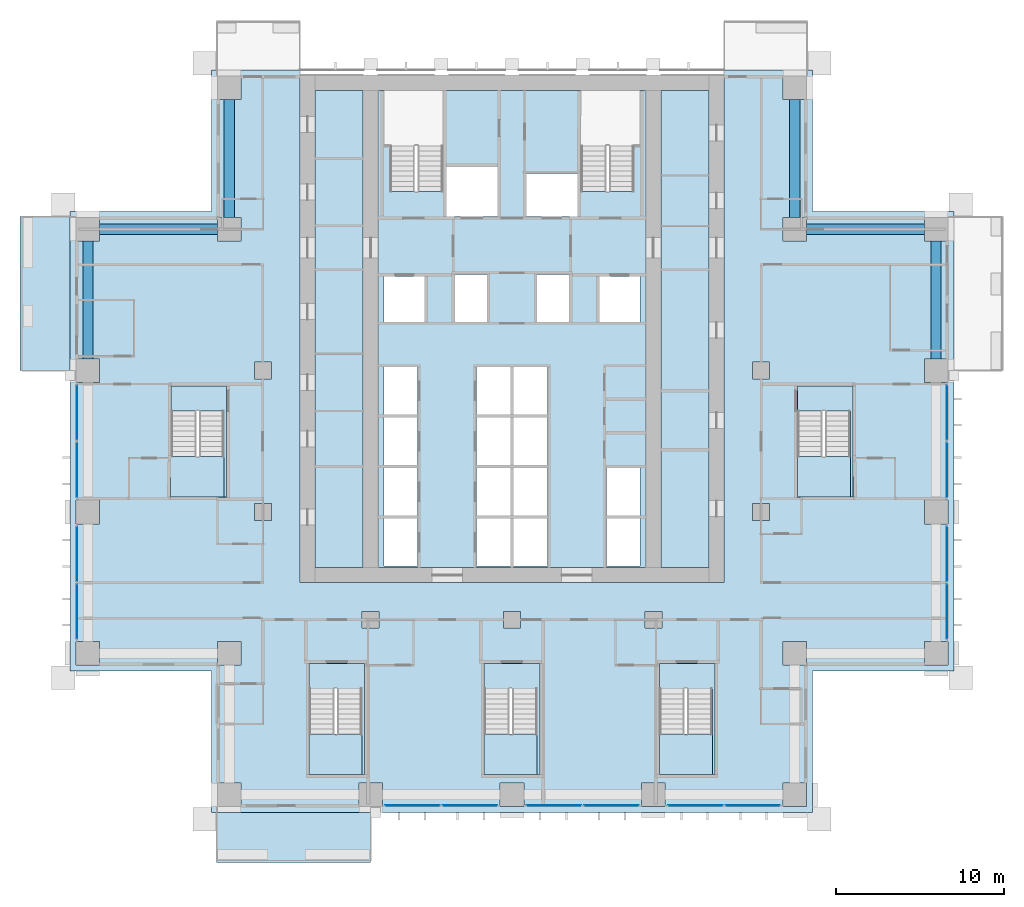
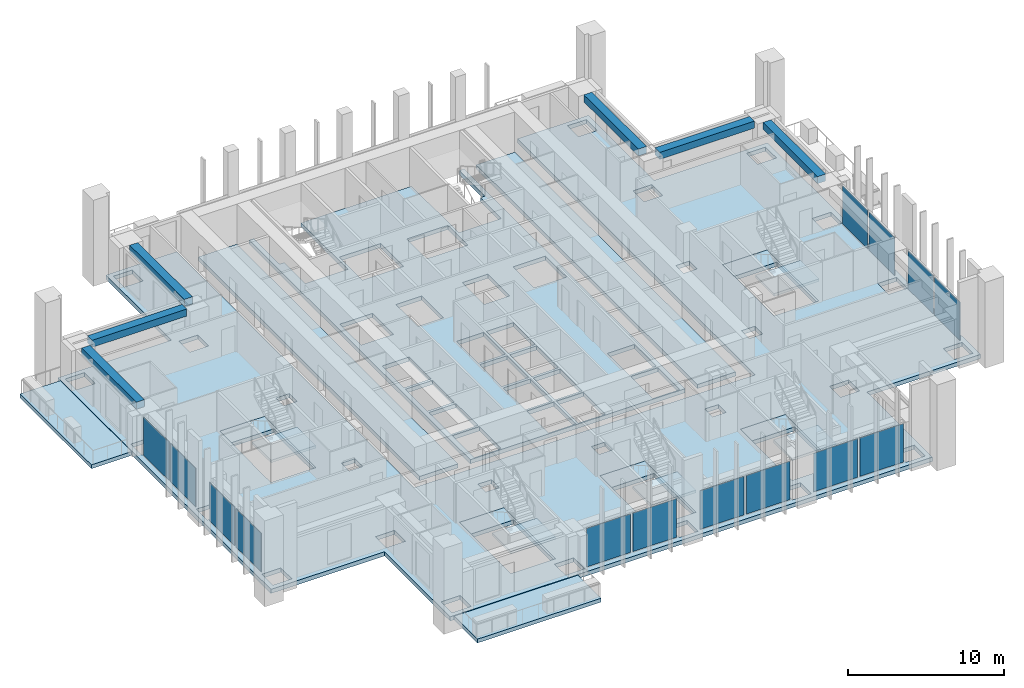
# One storey, part 5 of 17: 16 slabs, 14 plates, 6 beams, 12 elements without a shape of their own.
"""IFC4 building model written with IfcOpenShell, lengths in metres."""

from ifc_helpers import new_model, si_unit, direction, frame, origin, origin_2d, place, context, subcontext, project, spatial, polyline, rectangle, outline, extrude, material, layer, layer_set, material_profile, profile_set, type_object, element, aggregate, save


model = new_model("IFC4")

# Units and contexts
model_context = context("Model", 3, precision=1e-05, world=origin(), true_north=direction((0.0, 1.0)))
body_context = subcontext(model_context, "Body", "Model", "MODEL_VIEW")
ifc_project = project(units=[si_unit("LENGTHUNIT", "METRE"), si_unit("AREAUNIT", "SQUARE_METRE"), si_unit("VOLUMEUNIT", "CUBIC_METRE"), si_unit("PLANEANGLEUNIT", "RADIAN"), si_unit("MASSUNIT", "GRAM", prefix="KILO")], contexts=[model_context])

# Site, building, storey
site_placement = place(None, origin())
site = spatial("IfcSite", under=ifc_project, at=site_placement, CompositionType="ELEMENT")
building_placement = place(site_placement, origin())
building = spatial("IfcBuilding", under=site, at=building_placement, Name="Vermilion Ogive Tower", CompositionType="ELEMENT")
storey_placement = place(building_placement, frame((0.0, 0.0, 69.0)))
storey = spatial("IfcBuildingStorey", under=building, at=storey_placement, Name="L16", CompositionType="ELEMENT", Elevation=69.0)

# Beams
ifc_material_1 = material(Name="Concrete B45", Category="concrete")
ifc_material_profile = material_profile(ifc_material_1, rectangle(XDim=0.60009765625, YDim=0.550048828125, at=origin_2d()), Name="600 x 550")
ifc_profile_set = profile_set([ifc_material_profile], Name="Concrete B45")
beam_type = type_object("IfcBeamType", Name="Edge beam 600 x 550 B45", PredefinedType="BEAM", material=ifc_profile_set)
for number, where, z_axis, x_axis, name in (
    (1, (25.199951171875, 4.89990234375, 2.85498046875), (0.0, 1.0, 0.0), (-1.0, 0.0, 0.0), "L16-EB-9"),
    (2, (24.5, 12.60009765625, 2.85498046875), (-1.0, 0.0, 0.0), (0.0, -1.0, 0.0), "L16-EB-10"),
    (3, (16.800048828125, 13.300048828125, 2.85498046875), (0.0, 1.0, 0.0), (-1.0, 0.0, 0.0), "L16-EB-11"),
    (4, (-16.800048828125, 20.300048828125, 2.85498046875), (0.0, -1.0, 0.0), (1.0, 0.0, 0.0), "L16-EB-12"),
    (5, (-17.5, 12.60009765625, 2.85498046875), (-1.0, 0.0, 0.0), (0.0, -1.0, 0.0), "L16-EB-13"),
    (6, (-25.199951171875, 11.89990234375, 2.85498046875), (0.0, -1.0, 0.0), (1.0, 0.0, 0.0), "L16-EB-14"),
):
    element("IfcBeam", number, at=place(storey_placement, frame(where, z_axis=z_axis, x_axis=x_axis)), inside=storey, type_object=beam_type, Name=name, PredefinedType="BEAM", context=body_context, shape_type="SweptSolid", body=[
        extrude(rectangle(XDim=0.60009765625, YDim=0.550048828125, at=origin_2d()), origin(), (0.0, 0.0, 1.0), 7.0),
    ])

# Slabs
ifc_material_2 = material(Name="Concrete B40", Category="concrete")
ifc_layer_1 = layer(ifc_material_2, 0.300048828125)
ifc_layer_set_1 = layer_set([ifc_layer_1], Name="Balcony slab")
slab_type_1 = type_object("IfcSlabType", Name="Balcony slab", PredefinedType="FLOOR", material=ifc_layer_set_1)
slab_1_placement = place(storey_placement, frame((0.0, 0.0, -0.340087890625)))
element("IfcSlab", 7, at=slab_1_placement, inside=storey, type_object=slab_type_1, Name="Balcony slab S01", PredefinedType="FLOOR", context=body_context, shape_type="SweptSolid", body=[
    extrude(outline(polyline([(-17.550048828125, -25.030029296875), (-8.39990234375, -25.030029296875), (-8.39990234375, -22.050048828125), (-17.550048828125, -22.050048828125), (-17.550048828125, -25.030029296875)])), origin(), (0.0, 0.0, 1.0), 0.300048828125),
])
slab_2_placement = place(storey_placement, frame((0.0, 0.0, -0.340087890625)))
element("IfcSlab", 8, at=slab_2_placement, inside=storey, type_object=slab_type_1, Name="Balcony slab W01", PredefinedType="FLOOR", context=body_context, shape_type="SweptSolid", body=[
    extrude(outline(polyline([(-29.22998046875, 13.35009765625), (-29.22998046875, 4.199951171875), (-26.25, 4.199951171875), (-26.25, 13.35009765625), (-29.22998046875, 13.35009765625)])), origin(), (0.0, 0.0, 1.0), 0.300048828125),
])

# Curtain wall, plates
ifc_material_3 = material(Name="Low-iron laminated glazing in aluminium frame", Category="aluminium")
curtain_wall_type = type_object("IfcCurtainWallType", Name="Curtain wall CW7", PredefinedType="NOTDEFINED", material=ifc_material_3)
curtain_wall_1_placement = place(storey_placement, origin())
curtain_wall_1 = element("IfcCurtainWall", 9, at=curtain_wall_1_placement, inside=storey, type_object=curtain_wall_type, Name="Glazed skin S2", PredefinedType="NOTDEFINED")
ifc_material_4 = material(Name="Low-iron laminated glazing in aluminium frame", Category="aluminium")
ifc_layer_2 = layer(ifc_material_4, 0.031982421875)
ifc_layer_set_2 = layer_set([ifc_layer_2], Name="CW7 glazing panel 32")
plate_type = type_object("IfcPlateType", Name="CW7 glazing panel 32", PredefinedType="CURTAIN_PANEL", material=ifc_layer_set_2)
plate_1_placement = place(storey_placement, frame((-5.905029296875, -21.64990234375, 0.06005859375), z_axis=(0.0, 0.0, 1.0), x_axis=(1.0, 0.0, 0.0)))
plate_1 = element("IfcPlate", 10, at=plate_1_placement, type_object=plate_type, Name="CW7-S2 panel 1.1", PredefinedType="CURTAIN_PANEL", context=body_context, shape_type="SweptSolid", body=[
    extrude(rectangle(XDim=3.22998046875, YDim=0.031982421875, at=origin_2d()), origin(), (0.0, 0.0, 1.0), 3.010009765625),
])
plate_2_placement = place(storey_placement, frame((-2.4951171875, -21.64990234375, 0.06005859375), z_axis=(0.0, 0.0, 1.0), x_axis=(1.0, 0.0, 0.0)))
plate_2 = element("IfcPlate", 11, at=plate_2_placement, type_object=plate_type, Name="CW7-S2 panel 2.1", PredefinedType="CURTAIN_PANEL", context=body_context, shape_type="SweptSolid", body=[
    extrude(rectangle(XDim=3.22998046875, YDim=0.031982421875, at=origin_2d()), origin(), (0.0, 0.0, 1.0), 3.010009765625),
])
aggregate(curtain_wall_1, [plate_1, plate_2])

curtain_wall_2_placement = place(storey_placement, origin())
curtain_wall_2 = element("IfcCurtainWall", 12, at=curtain_wall_2_placement, inside=storey, type_object=curtain_wall_type, Name="Glazed skin S3", PredefinedType="NOTDEFINED")
plate_3_placement = place(storey_placement, frame((2.4951171875, -21.64990234375, 0.06005859375), z_axis=(0.0, 0.0, 1.0), x_axis=(1.0, 0.0, 0.0)))
plate_3 = element("IfcPlate", 13, at=plate_3_placement, type_object=plate_type, Name="CW7-S3 panel 1.1", PredefinedType="CURTAIN_PANEL", context=body_context, shape_type="SweptSolid", body=[
    extrude(rectangle(XDim=3.22998046875, YDim=0.031982421875, at=origin_2d()), origin(), (0.0, 0.0, 1.0), 3.010009765625),
])
plate_4_placement = place(storey_placement, frame((5.905029296875, -21.64990234375, 0.06005859375), z_axis=(0.0, 0.0, 1.0), x_axis=(1.0, 0.0, 0.0)))
plate_4 = element("IfcPlate", 14, at=plate_4_placement, type_object=plate_type, Name="CW7-S3 panel 2.1", PredefinedType="CURTAIN_PANEL", context=body_context, shape_type="SweptSolid", body=[
    extrude(rectangle(XDim=3.22998046875, YDim=0.031982421875, at=origin_2d()), origin(), (0.0, 0.0, 1.0), 3.010009765625),
])
aggregate(curtain_wall_2, [plate_3, plate_4])

curtain_wall_3_placement = place(storey_placement, origin())
curtain_wall_3 = element("IfcCurtainWall", 15, at=curtain_wall_3_placement, inside=storey, type_object=curtain_wall_type, Name="Glazed skin S4", PredefinedType="NOTDEFINED")
plate_5_placement = place(storey_placement, frame((10.89501953125, -21.64990234375, 0.06005859375), z_axis=(0.0, 0.0, 1.0), x_axis=(1.0, 0.0, 0.0)))
plate_5 = element("IfcPlate", 16, at=plate_5_placement, type_object=plate_type, Name="CW7-S4 panel 1.1", PredefinedType="CURTAIN_PANEL", context=body_context, shape_type="SweptSolid", body=[
    extrude(rectangle(XDim=3.22998046875, YDim=0.031982421875, at=origin_2d()), origin(), (0.0, 0.0, 1.0), 3.010009765625),
])
plate_6_placement = place(storey_placement, frame((14.304931640625, -21.64990234375, 0.06005859375), z_axis=(0.0, 0.0, 1.0), x_axis=(1.0, 0.0, 0.0)))
plate_6 = element("IfcPlate", 17, at=plate_6_placement, type_object=plate_type, Name="CW7-S4 panel 2.1", PredefinedType="CURTAIN_PANEL", context=body_context, shape_type="SweptSolid", body=[
    extrude(rectangle(XDim=3.22998046875, YDim=0.031982421875, at=origin_2d()), origin(), (0.0, 0.0, 1.0), 3.010009765625),
])
aggregate(curtain_wall_3, [plate_5, plate_6])

curtain_wall_4_placement = place(storey_placement, origin())
curtain_wall_4 = element("IfcCurtainWall", 18, at=curtain_wall_4_placement, inside=storey, type_object=curtain_wall_type, Name="Glazed skin E1", PredefinedType="NOTDEFINED")
plate_7_placement = place(storey_placement, frame((25.85009765625, -10.10498046875, 0.06005859375), z_axis=(0.0, 0.0, 1.0), x_axis=(0.0, 1.0, 0.0)))
plate_7 = element("IfcPlate", 19, at=plate_7_placement, type_object=plate_type, Name="CW7-E1 panel 1.1", PredefinedType="CURTAIN_PANEL", context=body_context, shape_type="SweptSolid", body=[
    extrude(rectangle(XDim=3.22998046875, YDim=0.031982421875, at=origin_2d()), origin(), (0.0, 0.0, 1.0), 3.010009765625),
])
plate_8_placement = place(storey_placement, frame((25.85009765625, -6.695068359375, 0.06005859375), z_axis=(0.0, 0.0, 1.0), x_axis=(0.0, 1.0, 0.0)))
plate_8 = element("IfcPlate", 20, at=plate_8_placement, type_object=plate_type, Name="CW7-E1 panel 2.1", PredefinedType="CURTAIN_PANEL", context=body_context, shape_type="SweptSolid", body=[
    extrude(rectangle(XDim=3.22998046875, YDim=0.031982421875, at=origin_2d()), origin(), (0.0, 0.0, 1.0), 3.010009765625),
])
aggregate(curtain_wall_4, [plate_7, plate_8])

curtain_wall_5_placement = place(storey_placement, origin())
curtain_wall_5 = element("IfcCurtainWall", 21, at=curtain_wall_5_placement, inside=storey, type_object=curtain_wall_type, Name="Glazed skin E2", PredefinedType="NOTDEFINED")
plate_9_placement = place(storey_placement, frame((25.85009765625, -1.705078125, 0.06005859375), z_axis=(0.0, 0.0, 1.0), x_axis=(0.0, 1.0, 0.0)))
plate_9 = element("IfcPlate", 22, at=plate_9_placement, type_object=plate_type, Name="CW7-E2 panel 1.1", PredefinedType="CURTAIN_PANEL", context=body_context, shape_type="SweptSolid", body=[
    extrude(rectangle(XDim=3.22998046875, YDim=0.031982421875, at=origin_2d()), origin(), (0.0, 0.0, 1.0), 3.010009765625),
])
plate_10_placement = place(storey_placement, frame((25.85009765625, 1.705078125, 0.06005859375), z_axis=(0.0, 0.0, 1.0), x_axis=(0.0, 1.0, 0.0)))
plate_10 = element("IfcPlate", 23, at=plate_10_placement, type_object=plate_type, Name="CW7-E2 panel 2.1", PredefinedType="CURTAIN_PANEL", context=body_context, shape_type="SweptSolid", body=[
    extrude(rectangle(XDim=3.22998046875, YDim=0.031982421875, at=origin_2d()), origin(), (0.0, 0.0, 1.0), 3.010009765625),
])
aggregate(curtain_wall_5, [plate_9, plate_10])

curtain_wall_6_placement = place(storey_placement, origin())
curtain_wall_6 = element("IfcCurtainWall", 24, at=curtain_wall_6_placement, inside=storey, type_object=curtain_wall_type, Name="Glazed skin W2", PredefinedType="NOTDEFINED")
plate_11_placement = place(storey_placement, frame((-25.85009765625, 1.705078125, 0.06005859375), z_axis=(0.0, 0.0, 1.0), x_axis=(0.0, -1.0, 0.0)))
plate_11 = element("IfcPlate", 25, at=plate_11_placement, type_object=plate_type, Name="CW7-W2 panel 1.1", PredefinedType="CURTAIN_PANEL", context=body_context, shape_type="SweptSolid", body=[
    extrude(rectangle(XDim=3.22998046875, YDim=0.031982421875, at=origin_2d()), origin(), (0.0, 0.0, 1.0), 3.010009765625),
])
plate_12_placement = place(storey_placement, frame((-25.85009765625, -1.705078125, 0.06005859375), z_axis=(0.0, 0.0, 1.0), x_axis=(0.0, -1.0, 0.0)))
plate_12 = element("IfcPlate", 26, at=plate_12_placement, type_object=plate_type, Name="CW7-W2 panel 2.1", PredefinedType="CURTAIN_PANEL", context=body_context, shape_type="SweptSolid", body=[
    extrude(rectangle(XDim=3.22998046875, YDim=0.031982421875, at=origin_2d()), origin(), (0.0, 0.0, 1.0), 3.010009765625),
])
aggregate(curtain_wall_6, [plate_11, plate_12])

curtain_wall_7_placement = place(storey_placement, origin())
curtain_wall_7 = element("IfcCurtainWall", 27, at=curtain_wall_7_placement, inside=storey, type_object=curtain_wall_type, Name="Glazed skin W3", PredefinedType="NOTDEFINED")
plate_13_placement = place(storey_placement, frame((-25.85009765625, -6.695068359375, 0.06005859375), z_axis=(0.0, 0.0, 1.0), x_axis=(0.0, -1.0, 0.0)))
plate_13 = element("IfcPlate", 28, at=plate_13_placement, type_object=plate_type, Name="CW7-W3 panel 1.1", PredefinedType="CURTAIN_PANEL", context=body_context, shape_type="SweptSolid", body=[
    extrude(rectangle(XDim=3.22998046875, YDim=0.031982421875, at=origin_2d()), origin(), (0.0, 0.0, 1.0), 3.010009765625),
])
plate_14_placement = place(storey_placement, frame((-25.85009765625, -10.10498046875, 0.06005859375), z_axis=(0.0, 0.0, 1.0), x_axis=(0.0, -1.0, 0.0)))
plate_14 = element("IfcPlate", 29, at=plate_14_placement, type_object=plate_type, Name="CW7-W3 panel 2.1", PredefinedType="CURTAIN_PANEL", context=body_context, shape_type="SweptSolid", body=[
    extrude(rectangle(XDim=3.22998046875, YDim=0.031982421875, at=origin_2d()), origin(), (0.0, 0.0, 1.0), 3.010009765625),
])
aggregate(curtain_wall_7, [plate_13, plate_14])

# Slabs
ifc_material_5 = material(Name="Concrete B40", Category="concrete")
ifc_layer_3 = layer(ifc_material_5, 0.320068359375)
ifc_layer_set_3 = layer_set([ifc_layer_3], Name="Core floor slab 320 B40")
slab_type_2 = type_object("IfcSlabType", Name="Core floor slab 320 B40", PredefinedType="FLOOR", material=ifc_layer_set_3)
slab_3_placement = place(storey_placement, frame((0.0, 0.0, -0.320068359375)))
element("IfcSlab", 30, at=slab_3_placement, inside=storey, type_object=slab_type_2, Name="L16-CK-FS1", PredefinedType="FLOOR", context=body_context, shape_type="SweptSolid", body=[
    extrude(outline(polyline([(-8.85400390625, -7.49609375), (-11.696044921875, -7.49609375), (-11.696044921875, 20.845947265625), (-8.85400390625, 20.845947265625), (-8.85400390625, -7.49609375)])), origin(), (0.0, 0.0, 1.0), 0.320068359375),
])
slab_4_placement = place(storey_placement, frame((0.0, 0.0, -0.320068359375)))
element("IfcSlab", 31, at=slab_4_placement, inside=storey, type_object=slab_type_2, Name="L16-CK-FS2", PredefinedType="FLOOR", context=body_context, shape_type="SweptSolid", body=[
    extrude(outline(polyline([(5.75, 14.85009765625), (5.60009765625, 14.85009765625), (5.60009765625, 14.85205078125), (4.10009765625, 14.85205078125), (4.10009765625, 17.550048828125), (4.074951171875, 17.550048828125), (4.074951171875, 20.845947265625), (-4.10009765625, 20.845947265625), (-4.10009765625, 14.85205078125), (-5.60009765625, 14.85205078125), (-5.60009765625, 14.85009765625), (-5.75, 14.85009765625), (-5.75, 14.85205078125), (-7.25, 14.85205078125), (-7.25, 17.550048828125), (-7.60009765625, 17.550048828125), (-7.60009765625, 20.845947265625), (-7.946044921875, 20.845947265625), (-7.946044921875, -7.49609375), (7.946044921875, -7.49609375), (7.946044921875, 20.845947265625), (7.60009765625, 20.845947265625), (7.60009765625, 17.550048828125), (7.25, 17.550048828125), (7.25, 14.85205078125), (5.75, 14.85205078125), (5.75, 14.85009765625)]), holes=[polyline([(-7.60009765625, -4.60009765625), (-5.60009765625, -4.60009765625), (-5.60009765625, -7.39990234375), (-7.60009765625, -7.39990234375), (-7.60009765625, -4.60009765625)]), polyline([(-2.10009765625, -4.60009765625), (-0.10009765625, -4.60009765625), (-0.10009765625, -7.39990234375), (-2.10009765625, -7.39990234375), (-2.10009765625, -4.60009765625)]), polyline([(-7.60009765625, -4.39990234375), (-7.60009765625, -1.60009765625), (-5.60009765625, -1.60009765625), (-5.60009765625, -4.39990234375), (-7.60009765625, -4.39990234375)]), polyline([(-2.10009765625, -1.60009765625), (-0.10009765625, -1.60009765625), (-0.10009765625, -4.39990234375), (-2.10009765625, -4.39990234375), (-2.10009765625, -1.60009765625)]), polyline([(-7.60009765625, -1.39990234375), (-7.60009765625, 1.39990234375), (-5.60009765625, 1.39990234375), (-5.60009765625, -1.39990234375), (-7.60009765625, -1.39990234375)]), polyline([(-2.10009765625, 1.39990234375), (-0.10009765625, 1.39990234375), (-0.10009765625, -1.39990234375), (-2.10009765625, -1.39990234375), (-2.10009765625, 1.39990234375)]), polyline([(-7.60009765625, 4.39990234375), (-5.60009765625, 4.39990234375), (-5.60009765625, 1.60009765625), (-7.60009765625, 1.60009765625), (-7.60009765625, 4.39990234375)]), polyline([(-2.10009765625, 4.39990234375), (-0.10009765625, 4.39990234375), (-0.10009765625, 1.60009765625), (-2.10009765625, 1.60009765625), (-2.10009765625, 4.39990234375)]), polyline([(-7.60009765625, 9.800048828125), (-5.199951171875, 9.800048828125), (-5.199951171875, 7.10009765625), (-7.60009765625, 7.10009765625), (-7.60009765625, 9.800048828125)]), polyline([(-3.39990234375, 9.89990234375), (-1.5, 9.89990234375), (-1.5, 7.10009765625), (-3.39990234375, 7.10009765625), (-3.39990234375, 9.89990234375)]), polyline([(-3.89990234375, 16.300048828125), (-0.85009765625, 16.300048828125), (-0.85009765625, 13.35009765625), (-3.89990234375, 13.35009765625), (-3.89990234375, 16.300048828125)]), polyline([(0.10009765625, -4.60009765625), (2.10009765625, -4.60009765625), (2.10009765625, -7.39990234375), (0.10009765625, -7.39990234375), (0.10009765625, -4.60009765625)]), polyline([(5.60009765625, -4.60009765625), (7.60009765625, -4.60009765625), (7.60009765625, -7.39990234375), (5.60009765625, -7.39990234375), (5.60009765625, -4.60009765625)]), polyline([(0.10009765625, -1.60009765625), (2.10009765625, -1.60009765625), (2.10009765625, -4.39990234375), (0.10009765625, -4.39990234375), (0.10009765625, -1.60009765625)]), polyline([(5.60009765625, -1.60009765625), (7.60009765625, -1.60009765625), (7.60009765625, -4.39990234375), (5.60009765625, -4.39990234375), (5.60009765625, -1.60009765625)]), polyline([(0.10009765625, 1.39990234375), (2.10009765625, 1.39990234375), (2.10009765625, -1.39990234375), (0.10009765625, -1.39990234375), (0.10009765625, 1.39990234375)]), polyline([(0.10009765625, 4.39990234375), (2.10009765625, 4.39990234375), (2.10009765625, 1.60009765625), (0.10009765625, 1.60009765625), (0.10009765625, 4.39990234375)]), polyline([(5.199951171875, 9.800048828125), (7.60009765625, 9.800048828125), (7.60009765625, 7.10009765625), (5.199951171875, 7.10009765625), (5.199951171875, 9.800048828125)]), polyline([(1.5, 9.89990234375), (3.39990234375, 9.89990234375), (3.39990234375, 7.10009765625), (1.5, 7.10009765625), (1.5, 9.89990234375)]), polyline([(0.85009765625, 15.89990234375), (3.89990234375, 15.89990234375), (3.89990234375, 13.35009765625), (0.85009765625, 13.35009765625), (0.85009765625, 15.89990234375)])]), origin(), (0.0, 0.0, 1.0), 0.320068359375),
])
slab_5_placement = place(storey_placement, frame((0.0, 0.0, -0.320068359375)))
element("IfcSlab", 32, at=slab_5_placement, inside=storey, type_object=slab_type_2, Name="L16-CK-FS3", PredefinedType="FLOOR", context=body_context, shape_type="SweptSolid", body=[
    extrude(outline(polyline([(8.85400390625, 20.845947265625), (11.696044921875, 20.845947265625), (11.696044921875, -7.49609375), (8.85400390625, -7.49609375), (8.85400390625, 20.845947265625)])), origin(), (0.0, 0.0, 1.0), 0.320068359375),
])
slab_6_placement = place(storey_placement, frame((0.0, 0.0, -0.320068359375)))
element("IfcSlab", 33, at=slab_6_placement, inside=storey, type_object=slab_type_2, Name="L16-SF-ST3-1", PredefinedType="FLOOR", context=body_context, shape_type="SweptSolid", body=[
    extrude(outline(polyline([(-12.050048828125, -13.199951171875), (-12.050048828125, -14.701904296875), (-10.550048828125, -14.701904296875), (-10.550048828125, -14.699951171875), (-10.39990234375, -14.699951171875), (-10.39990234375, -14.701904296875), (-8.89990234375, -14.701904296875), (-8.89990234375, -19.800048828125), (-8.75, -19.800048828125), (-8.75, -13.199951171875), (-12.050048828125, -13.199951171875)])), origin(), (0.0, 0.0, 1.0), 0.320068359375),
])
slab_7_placement = place(storey_placement, frame((0.0, 0.0, -0.320068359375)))
element("IfcSlab", 34, at=slab_7_placement, inside=storey, type_object=slab_type_2, Name="L16-SF-ST4-1", PredefinedType="FLOOR", context=body_context, shape_type="SweptSolid", body=[
    extrude(outline(polyline([(-1.64990234375, -13.199951171875), (-1.64990234375, -14.701904296875), (-0.14990234375, -14.701904296875), (-0.14990234375, -14.699951171875), (0.0, -14.699951171875), (0.0, -14.701904296875), (1.5, -14.701904296875), (1.5, -19.800048828125), (1.64990234375, -19.800048828125), (1.64990234375, -13.199951171875), (-1.64990234375, -13.199951171875)])), origin(), (0.0, 0.0, 1.0), 0.320068359375),
])
slab_8_placement = place(storey_placement, frame((0.0, 0.0, -0.320068359375)))
element("IfcSlab", 35, at=slab_8_placement, inside=storey, type_object=slab_type_2, Name="L16-SF-ST5-1", PredefinedType="FLOOR", context=body_context, shape_type="SweptSolid", body=[
    extrude(outline(polyline([(8.75, -13.199951171875), (8.75, -14.701904296875), (10.25, -14.701904296875), (10.25, -14.699951171875), (10.39990234375, -14.699951171875), (10.39990234375, -14.701904296875), (11.89990234375, -14.701904296875), (11.89990234375, -19.800048828125), (12.050048828125, -19.800048828125), (12.050048828125, -13.199951171875), (8.75, -13.199951171875)])), origin(), (0.0, 0.0, 1.0), 0.320068359375),
])
slab_9_placement = place(storey_placement, frame((0.0, 0.0, -0.320068359375)))
element("IfcSlab", 36, at=slab_9_placement, inside=storey, type_object=slab_type_2, Name="L16-SF-ST8-1", PredefinedType="FLOOR", context=body_context, shape_type="SweptSolid", body=[
    extrude(outline(polyline([(16.949951171875, 3.300048828125), (16.949951171875, 1.798095703125), (18.449951171875, 1.798095703125), (18.449951171875, 1.800048828125), (18.60009765625, 1.800048828125), (18.60009765625, 1.798095703125), (20.10009765625, 1.798095703125), (20.10009765625, -3.300048828125), (20.25, -3.300048828125), (20.25, 3.300048828125), (16.949951171875, 3.300048828125)])), origin(), (0.0, 0.0, 1.0), 0.320068359375),
])
slab_10_placement = place(storey_placement, frame((0.0, 0.0, -0.320068359375)))
element("IfcSlab", 37, at=slab_10_placement, inside=storey, type_object=slab_type_2, Name="L16-SF-ST9-1", PredefinedType="FLOOR", context=body_context, shape_type="SweptSolid", body=[
    extrude(outline(polyline([(-20.25, 3.300048828125), (-20.25, 1.798095703125), (-18.75, 1.798095703125), (-18.75, 1.800048828125), (-18.60009765625, 1.800048828125), (-18.60009765625, 1.798095703125), (-17.10009765625, 1.798095703125), (-17.10009765625, -3.300048828125), (-16.949951171875, -3.300048828125), (-16.949951171875, 3.300048828125), (-20.25, 3.300048828125)])), origin(), (0.0, 0.0, 1.0), 0.320068359375),
])
ifc_material_6 = material(Name="Concrete B45", Category="concrete")
ifc_layer_4 = layer(ifc_material_6, 0.320068359375)
ifc_layer_set_4 = layer_set([ifc_layer_4], Name="Post-tensioned flat plate 320 B45")
slab_type_3 = type_object("IfcSlabType", Name="Post-tensioned flat plate 320 B45", PredefinedType="FLOOR", material=ifc_layer_set_4)
slab_11_placement = place(storey_placement, frame((0.0, 0.0, -0.320068359375)))
element("IfcSlab", 38, at=slab_11_placement, inside=storey, type_object=slab_type_3, Name="L16-SL-1", PredefinedType="FLOOR", context=body_context, shape_type="SweptSolid", body=[
    extrude(outline(polyline([(-26.25, -13.64990234375), (-17.85009765625, -13.64990234375), (-17.85009765625, -22.050048828125), (17.85009765625, -22.050048828125), (17.85009765625, -13.64990234375), (26.25, -13.64990234375), (26.25, 13.64990234375), (17.85009765625, 13.64990234375), (17.85009765625, 22.050048828125), (12.60009765625, 22.050048828125), (12.60009765625, -8.39990234375), (-12.60009765625, -8.39990234375), (-12.60009765625, 22.050048828125), (-17.85009765625, 22.050048828125), (-17.85009765625, 13.64990234375), (-26.25, 13.64990234375), (-26.25, -13.64990234375)]), holes=[polyline([(25.89990234375, -3.5), (25.89990234375, -4.89990234375), (24.5, -4.89990234375), (24.5, -3.5), (25.89990234375, -3.5)]), polyline([(25.89990234375, -11.89990234375), (25.89990234375, -13.300048828125), (24.5, -13.300048828125), (24.5, -11.89990234375), (25.89990234375, -11.89990234375)]), polyline([(25.89990234375, 11.89990234375), (24.5, 11.89990234375), (24.5, 13.300048828125), (25.89990234375, 13.300048828125), (25.89990234375, 11.89990234375)]), polyline([(25.89990234375, 3.5), (24.5, 3.5), (24.5, 4.89990234375), (25.89990234375, 4.89990234375), (25.89990234375, 3.5)]), polyline([(20.25, 3.300048828125), (20.25, -3.300048828125), (16.949951171875, -3.300048828125), (16.949951171875, 3.300048828125), (20.25, 3.300048828125)]), polyline([(17.5, -11.89990234375), (17.5, -13.300048828125), (16.10009765625, -13.300048828125), (16.10009765625, -11.89990234375), (17.5, -11.89990234375)]), polyline([(17.5, 20.300048828125), (16.10009765625, 20.300048828125), (16.10009765625, 21.699951171875), (17.5, 21.699951171875), (17.5, 20.300048828125)]), polyline([(17.5, -20.300048828125), (17.5, -21.699951171875), (16.10009765625, -21.699951171875), (16.10009765625, -20.300048828125), (17.5, -20.300048828125)]), polyline([(17.5, 13.300048828125), (17.5, 11.89990234375), (16.10009765625, 11.89990234375), (16.10009765625, 13.300048828125), (17.5, 13.300048828125)]), polyline([(15.300048828125, 4.699951171875), (15.300048828125, 3.699951171875), (14.300048828125, 3.699951171875), (14.300048828125, 4.699951171875), (15.300048828125, 4.699951171875)]), polyline([(15.300048828125, -4.699951171875), (14.300048828125, -4.699951171875), (14.300048828125, -3.699951171875), (15.300048828125, -3.699951171875), (15.300048828125, -4.699951171875)]), polyline([(12.050048828125, -13.199951171875), (12.050048828125, -19.800048828125), (8.75, -19.800048828125), (8.75, -13.199951171875), (12.050048828125, -13.199951171875)]), polyline([(9.10009765625, -20.300048828125), (9.10009765625, -21.699951171875), (7.699951171875, -21.699951171875), (7.699951171875, -20.300048828125), (9.10009765625, -20.300048828125)]), polyline([(8.89990234375, -11.10009765625), (7.89990234375, -11.10009765625), (7.89990234375, -10.10009765625), (8.89990234375, -10.10009765625), (8.89990234375, -11.10009765625)]), polyline([(1.64990234375, -13.199951171875), (1.64990234375, -19.800048828125), (-1.64990234375, -19.800048828125), (-1.64990234375, -13.199951171875), (1.64990234375, -13.199951171875)]), polyline([(0.699951171875, -20.300048828125), (0.699951171875, -21.699951171875), (-0.699951171875, -21.699951171875), (-0.699951171875, -20.300048828125), (0.699951171875, -20.300048828125)]), polyline([(0.5, -10.10009765625), (0.5, -11.10009765625), (-0.5, -11.10009765625), (-0.5, -10.10009765625), (0.5, -10.10009765625)]), polyline([(-7.699951171875, -20.300048828125), (-7.699951171875, -21.699951171875), (-9.10009765625, -21.699951171875), (-9.10009765625, -20.300048828125), (-7.699951171875, -20.300048828125)]), polyline([(-7.89990234375, -10.10009765625), (-7.89990234375, -11.10009765625), (-8.89990234375, -11.10009765625), (-8.89990234375, -10.10009765625), (-7.89990234375, -10.10009765625)]), polyline([(-8.75, -13.199951171875), (-8.75, -19.800048828125), (-12.050048828125, -19.800048828125), (-12.050048828125, -13.199951171875), (-8.75, -13.199951171875)]), polyline([(-14.300048828125, 4.699951171875), (-14.300048828125, 3.699951171875), (-15.300048828125, 3.699951171875), (-15.300048828125, 4.699951171875), (-14.300048828125, 4.699951171875)]), polyline([(-14.300048828125, -4.699951171875), (-15.300048828125, -4.699951171875), (-15.300048828125, -3.699951171875), (-14.300048828125, -3.699951171875), (-14.300048828125, -4.699951171875)]), polyline([(-16.10009765625, 13.300048828125), (-16.10009765625, 11.89990234375), (-17.5, 11.89990234375), (-17.5, 13.300048828125), (-16.10009765625, 13.300048828125)]), polyline([(-16.10009765625, -11.89990234375), (-16.10009765625, -13.300048828125), (-17.5, -13.300048828125), (-17.5, -11.89990234375), (-16.10009765625, -11.89990234375)]), polyline([(-16.10009765625, -20.300048828125), (-16.10009765625, -21.699951171875), (-17.5, -21.699951171875), (-17.5, -20.300048828125), (-16.10009765625, -20.300048828125)]), polyline([(-16.10009765625, 20.300048828125), (-17.5, 20.300048828125), (-17.5, 21.699951171875), (-16.10009765625, 21.699951171875), (-16.10009765625, 20.300048828125)]), polyline([(-16.949951171875, 3.300048828125), (-16.949951171875, -3.300048828125), (-20.25, -3.300048828125), (-20.25, -3.2998046875), (-20.275146484375, -3.2998046875), (-20.275146484375, -0.89990234375), (-20.25, -0.89990234375), (-20.25, 3.300048828125), (-16.949951171875, 3.300048828125)]), polyline([(-24.5, 3.5), (-25.89990234375, 3.5), (-25.89990234375, 4.89990234375), (-24.5, 4.89990234375), (-24.5, 3.5)]), polyline([(-24.5, 13.300048828125), (-24.5, 11.89990234375), (-25.89990234375, 11.89990234375), (-25.89990234375, 13.300048828125), (-24.5, 13.300048828125)]), polyline([(-24.5, -3.5), (-24.5, -4.89990234375), (-25.89990234375, -4.89990234375), (-25.89990234375, -3.5), (-24.5, -3.5)]), polyline([(-24.5, -11.89990234375), (-24.5, -13.300048828125), (-25.89990234375, -13.300048828125), (-25.89990234375, -11.89990234375), (-24.5, -11.89990234375)])]), origin(), (0.0, 0.0, 1.0), 0.320068359375),
])

# Stair, slab
ifc_material_7 = material(Name="Concrete B40", Category="concrete")
stair_type = type_object("IfcStairType", Name="Exit stair 1500", PredefinedType="HALF_TURN_STAIR", material=ifc_material_7)
stair_1_placement = place(storey_placement, origin())
stair_1 = element("IfcStair", 39, at=stair_1_placement, inside=storey, type_object=stair_type, Name="L16 Exit Stair ST3", PredefinedType="HALF_TURN_STAIR")
ifc_material_8 = material(Name="Concrete B40", Category="concrete")
ifc_layer_5 = layer(ifc_material_8, 0.199951171875)
ifc_layer_set_5 = layer_set([ifc_layer_5], Name="Stair landing 200")
slab_type_4 = type_object("IfcSlabType", Name="Stair landing 200", PredefinedType="LANDING", material=ifc_layer_set_5)
slab_12_placement = place(storey_placement, frame((0.0, 0.0, 1.52490234375)))
slab_12 = element("IfcSlab", 40, at=slab_12_placement, type_object=slab_type_4, Name="ST3 landing 1", PredefinedType="LANDING", context=body_context, shape_type="SweptSolid", body=[
    extrude(outline(polyline([(-8.75, -17.39990234375), (-8.89990234375, -17.39990234375), (-8.89990234375, -17.39794921875), (-10.39990234375, -17.39794921875), (-10.39990234375, -17.39990234375), (-10.550048828125, -17.39990234375), (-10.550048828125, -17.39794921875), (-12.050048828125, -17.39794921875), (-12.050048828125, -17.402099609375), (-12.0498046875, -17.402099609375), (-12.0498046875, -19.7998046875), (-8.75, -19.7998046875), (-8.75, -17.39990234375)])), origin(), (0.0, 0.0, 1.0), 0.2001953125),
])
aggregate(stair_1, [slab_12])

stair_2_placement = place(storey_placement, origin())
stair_2 = element("IfcStair", 41, at=stair_2_placement, inside=storey, type_object=stair_type, Name="L16 Exit Stair ST4", PredefinedType="HALF_TURN_STAIR")
slab_13_placement = place(storey_placement, frame((0.0, 0.0, 1.52490234375)))
slab_13 = element("IfcSlab", 42, at=slab_13_placement, type_object=slab_type_4, Name="ST4 landing 1", PredefinedType="LANDING", context=body_context, shape_type="SweptSolid", body=[
    extrude(outline(polyline([(1.64990234375, -17.39990234375), (1.5, -17.39990234375), (1.5, -17.39794921875), (0.0, -17.39794921875), (0.0, -17.39990234375), (-0.14990234375, -17.39990234375), (-0.14990234375, -17.39794921875), (-1.64990234375, -17.39794921875), (-1.64990234375, -19.7998046875), (1.64990234375, -19.7998046875), (1.64990234375, -17.39990234375)])), origin(), (0.0, 0.0, 1.0), 0.2001953125),
])
aggregate(stair_2, [slab_13])

stair_3_placement = place(storey_placement, origin())
stair_3 = element("IfcStair", 43, at=stair_3_placement, inside=storey, type_object=stair_type, Name="L16 Exit Stair ST5", PredefinedType="HALF_TURN_STAIR")
slab_14_placement = place(storey_placement, frame((0.0, 0.0, 1.52490234375)))
slab_14 = element("IfcSlab", 44, at=slab_14_placement, type_object=slab_type_4, Name="ST5 landing 1", PredefinedType="LANDING", context=body_context, shape_type="SweptSolid", body=[
    extrude(outline(polyline([(12.0498046875, -17.39990234375), (11.89990234375, -17.39990234375), (11.89990234375, -17.39794921875), (10.39990234375, -17.39794921875), (10.39990234375, -17.39990234375), (10.25, -17.39990234375), (10.25, -17.39794921875), (8.75, -17.39794921875), (8.75, -17.39990234375), (8.75, -17.39990234375), (8.75, -19.7998046875), (12.0498046875, -19.7998046875), (12.0498046875, -17.39990234375)])), origin(), (0.0, 0.0, 1.0), 0.2001953125),
])
aggregate(stair_3, [slab_14])

stair_4_placement = place(storey_placement, origin())
stair_4 = element("IfcStair", 45, at=stair_4_placement, inside=storey, type_object=stair_type, Name="L16 Exit Stair ST8", PredefinedType="HALF_TURN_STAIR")
slab_15_placement = place(storey_placement, frame((0.0, 0.0, 1.52490234375)))
slab_15 = element("IfcSlab", 46, at=slab_15_placement, type_object=slab_type_4, Name="ST8 landing 1", PredefinedType="LANDING", context=body_context, shape_type="SweptSolid", body=[
    extrude(outline(polyline([(20.275146484375, -0.89990234375), (20.10009765625, -0.89990234375), (20.10009765625, -0.89794921875), (18.60009765625, -0.89794921875), (18.60009765625, -0.89990234375), (18.449951171875, -0.89990234375), (18.449951171875, -0.89794921875), (16.949951171875, -0.89794921875), (16.949951171875, -0.902099609375), (16.9501953125, -0.902099609375), (16.9501953125, -3.2998046875), (20.275146484375, -3.2998046875), (20.275146484375, -0.89990234375)])), origin(), (0.0, 0.0, 1.0), 0.2001953125),
])
aggregate(stair_4, [slab_15])

stair_5_placement = place(storey_placement, origin())
stair_5 = element("IfcStair", 47, at=stair_5_placement, inside=storey, type_object=stair_type, Name="L16 Exit Stair ST9", PredefinedType="HALF_TURN_STAIR")
slab_16_placement = place(storey_placement, frame((0.0, 0.0, 1.52490234375)))
slab_16 = element("IfcSlab", 48, at=slab_16_placement, type_object=slab_type_4, Name="ST9 landing 1", PredefinedType="LANDING", context=body_context, shape_type="SweptSolid", body=[
    extrude(outline(polyline([(-16.9501953125, -0.89990234375), (-17.10009765625, -0.89990234375), (-17.10009765625, -0.89794921875), (-18.60009765625, -0.89794921875), (-18.60009765625, -0.89990234375), (-18.75, -0.89990234375), (-18.75, -0.89794921875), (-20.25, -0.89794921875), (-20.25, -0.89990234375), (-20.275146484375, -0.89990234375), (-20.275146484375, -3.2998046875), (-16.9501953125, -3.2998046875), (-16.9501953125, -0.89990234375)])), origin(), (0.0, 0.0, 1.0), 0.2001953125),
])
aggregate(stair_5, [slab_16])

save(model, "model.ifc")
